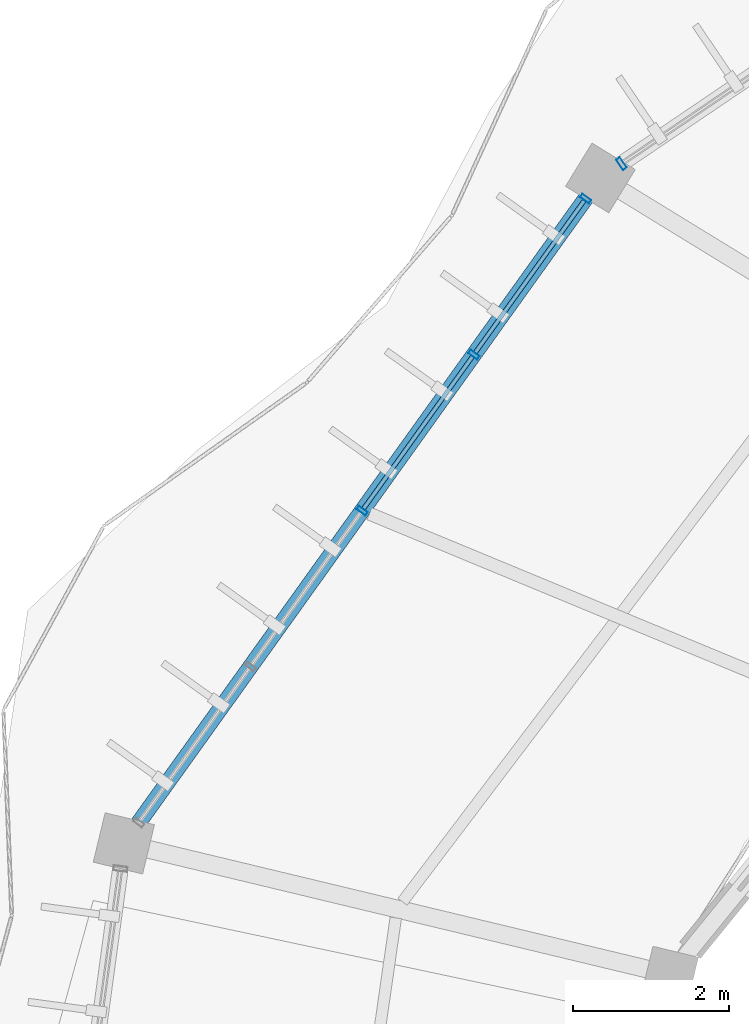
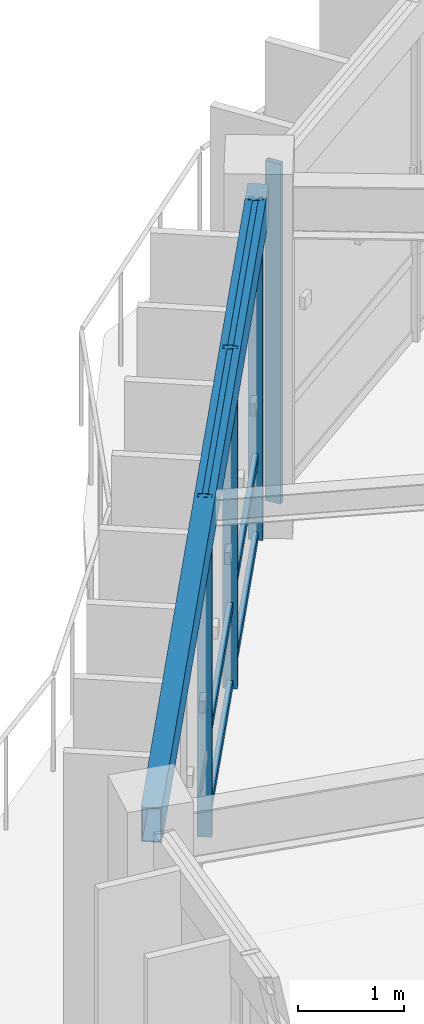
# One storey, part 38 of 114: 10 members, 1 beam, 2 elements without a shape of their own.
"""IFC4 building model written with IfcOpenShell, lengths in metres."""

from ifc_helpers import new_model, si_unit, direction, frame, origin, origin_2d, place, context, subcontext, project, spatial, hollow_rectangle, extrude, material, material_profile, profile_set, type_object, element, aggregate, save


model = new_model("IFC4")

# Units and contexts
model_context = context("Model", 3, precision=1e-05, world=origin(), true_north=direction((0.0, 1.0)))
body_context = subcontext(model_context, "Body", "Model", "MODEL_VIEW")
ifc_project = project(units=[si_unit("LENGTHUNIT", "METRE"), si_unit("AREAUNIT", "SQUARE_METRE"), si_unit("VOLUMEUNIT", "CUBIC_METRE"), si_unit("PLANEANGLEUNIT", "RADIAN"), si_unit("MASSUNIT", "GRAM", prefix="KILO"), si_unit("THERMODYNAMICTEMPERATUREUNIT", "KELVIN"), si_unit("POWERUNIT", "WATT")], contexts=[model_context])

# Site, building, storey
site_placement = place(None, origin())
site = spatial("IfcSite", under=ifc_project, at=site_placement, CompositionType="ELEMENT")
building_placement = place(site_placement, origin())
building = spatial("IfcBuilding", under=site, at=building_placement, Name="Darbajah Civic Hall", CompositionType="ELEMENT")
storey_placement = place(building_placement, frame((0.0, 0.0, 13.800048828125)))
storey = spatial("IfcBuildingStorey", under=building, at=storey_placement, Name="L03", CompositionType="ELEMENT", Elevation=13.800048828125)

# Curtain wall, members
ifc_material_1 = material(Name="Anodised Bronze Aluminium and Low-E Glazing", Category="aluminium")
curtain_wall_type_1 = type_object("IfcCurtainWallType", Name="Unitised Curtain Wall CW-44 9800x3900", PredefinedType="USERDEFINED", material=ifc_material_1)
curtain_wall_1_placement = place(storey_placement, origin())
curtain_wall_1 = element("IfcCurtainWall", 1, at=curtain_wall_1_placement, inside=storey, type_object=curtain_wall_type_1, Name="L03 unitised curtain wall CW-V1O-L03-08", ObjectType="UNITISED CURTAIN WALL", PredefinedType="USERDEFINED")
ifc_material_2 = material(Name="Anodised Bronze Aluminium", Category="aluminium")
ifc_material_profile_1 = material_profile(ifc_material_2, hollow_rectangle(XDim=0.054931640625, YDim=0.139892578125, WallThickness=0.003173828125, at=origin_2d()), Name="ALU MULLION 55x140")
ifc_profile_set_1 = profile_set([ifc_material_profile_1], Name="Anodised Bronze Aluminium")
member_type_1 = type_object("IfcMemberType", Name="ALU MULLION 55x140", PredefinedType="MULLION", material=ifc_profile_set_1)
member_1_placement = place(storey_placement, frame((45.425048828125, 104.94775390625, 0.0), z_axis=(0.0, 0.0, 1.0), x_axis=(-0.582264874145, -0.812999149039, 0.0)))
member_1 = element("IfcMember", 2, at=member_1_placement, type_object=member_type_1, Name="CW-V1O-L03-08 mullion 1", PredefinedType="MULLION", context=body_context, shape_type="SweptSolid", body=[
    extrude(hollow_rectangle(XDim=0.054931640625, YDim=0.139892578125, WallThickness=0.003173828125, at=origin_2d()), origin(), (0.0, 0.0, 1.0), 3.919921875),
])
member_2_placement = place(storey_placement, frame((43.99365234375, 102.948974609375, 0.0), z_axis=(0.0, 0.0, 1.0), x_axis=(-0.582264874145, -0.812999149039, 0.0)))
member_2 = element("IfcMember", 3, at=member_2_placement, type_object=member_type_1, Name="CW-V1O-L03-08 mullion 2", PredefinedType="MULLION", context=body_context, shape_type="SweptSolid", body=[
    extrude(hollow_rectangle(XDim=0.054931640625, YDim=0.139892578125, WallThickness=0.003173828125, at=origin_2d()), origin(), (0.0, 0.0, 1.0), 3.919921875),
])
member_3_placement = place(storey_placement, frame((42.562255859375, 100.9501953125, 0.0), z_axis=(0.0, 0.0, 1.0), x_axis=(-0.582264874145, -0.812999149039, 0.0)))
member_3 = element("IfcMember", 4, at=member_3_placement, type_object=member_type_1, Name="CW-V1O-L03-08 mullion 3", PredefinedType="MULLION", context=body_context, shape_type="SweptSolid", body=[
    extrude(hollow_rectangle(XDim=0.054931640625, YDim=0.139892578125, WallThickness=0.003173828125, at=origin_2d()), origin(), (0.0, 0.0, 1.0), 3.919921875),
])

# Curtain wall, member
curtain_wall_type_2 = type_object("IfcCurtainWallType", Name="Unitised Curtain Wall CW-58 11900x3900", PredefinedType="USERDEFINED", material=ifc_material_1)
curtain_wall_2_placement = place(storey_placement, origin())
curtain_wall_2 = element("IfcCurtainWall", 5, at=curtain_wall_2_placement, inside=storey, type_object=curtain_wall_type_2, Name="L03 unitised curtain wall CW-V1O-L03-07", ObjectType="UNITISED CURTAIN WALL", PredefinedType="USERDEFINED")
ifc_material_profile_2 = material_profile(ifc_material_2, hollow_rectangle(XDim=0.06005859375, YDim=0.159912109375, WallThickness=0.00341796875, at=origin_2d()), Name="ALU MULLION 60x160")
ifc_profile_set_2 = profile_set([ifc_material_profile_2], Name="Anodised Bronze Aluminium")
member_type_2 = type_object("IfcMemberType", Name="ALU MULLION 60x160", PredefinedType="MULLION", material=ifc_profile_set_2)
member_4_placement = place(storey_placement, frame((45.885986328125, 105.397216796875, 0.0), z_axis=(0.0, 0.0, 1.0), x_axis=(-0.827962472047, -0.560783509816, 0.0)))
member_4 = element("IfcMember", 6, at=member_4_placement, type_object=member_type_2, Name="CW-V1O-L03-07 mullion 5", PredefinedType="MULLION", context=body_context, shape_type="SweptSolid", body=[
    extrude(hollow_rectangle(XDim=0.06005859375, YDim=0.159912109375, WallThickness=0.00341796875, at=origin_2d()), origin(), (0.0, 0.0, 1.0), 3.919921875),
])
aggregate(curtain_wall_2, [member_4])

# Member
ifc_material_profile_3 = material_profile(ifc_material_2, hollow_rectangle(XDim=0.054931640625, YDim=0.10009765625, WallThickness=0.0029296875, at=origin_2d()), Name="ALU TRANSOM 55x100")
ifc_profile_set_3 = profile_set([ifc_material_profile_3], Name="Anodised Bronze Aluminium")
member_type_3 = type_object("IfcMemberType", Name="ALU TRANSOM 55x100", PredefinedType="USERDEFINED", material=ifc_profile_set_3)
member_5_placement = place(storey_placement, frame((45.406005859375, 104.92138671875, 0.050048828125), z_axis=(-0.582212284211, -0.813036811045, 0.0), x_axis=(0.813036811045, -0.582212284211, 0.0)))
member_5 = element("IfcMember", 7, at=member_5_placement, type_object=member_type_3, Name="CW-V1O-L03-08 transom 1.1", ObjectType="TRANSOM", PredefinedType="USERDEFINED", context=body_context, shape_type="SweptSolid", body=[
    extrude(hollow_rectangle(XDim=0.054931640625, YDim=0.10009765625, WallThickness=0.0029296875, at=origin_2d()), origin(), (0.0, 0.0, 1.0), 2.3935546875),
])

member_6_placement = place(storey_placement, frame((45.406005859375, 104.92138671875, 0.949951171875), z_axis=(-0.582212284211, -0.813036811045, 0.0), x_axis=(0.813036811045, -0.582212284211, 0.0)))
member_6 = element("IfcMember", 8, at=member_6_placement, type_object=member_type_3, Name="CW-V1O-L03-08 transom 1.2", ObjectType="TRANSOM", PredefinedType="USERDEFINED", context=body_context, shape_type="SweptSolid", body=[
    extrude(hollow_rectangle(XDim=0.054931640625, YDim=0.10009765625, WallThickness=0.0029296875, at=origin_2d()), origin(), (0.0, 0.0, 1.0), 2.3935546875),
])

member_7_placement = place(storey_placement, frame((45.406005859375, 104.92138671875, 3.869873046875), z_axis=(-0.582212284211, -0.813036811045, 0.0), x_axis=(0.813036811045, -0.582212284211, 0.0)))
member_7 = element("IfcMember", 9, at=member_7_placement, type_object=member_type_3, Name="CW-V1O-L03-08 transom 1.3", ObjectType="TRANSOM", PredefinedType="USERDEFINED", context=body_context, shape_type="SweptSolid", body=[
    extrude(hollow_rectangle(XDim=0.054931640625, YDim=0.10009765625, WallThickness=0.0029296875, at=origin_2d()), origin(), (0.0, 0.0, 1.0), 2.3935546875),
])

member_8_placement = place(storey_placement, frame((43.974609375, 102.922607421875, 0.050048828125), z_axis=(-0.582144853692, -0.81308509353, 0.0), x_axis=(0.81308509353, -0.582144853692, 0.0)))
member_8 = element("IfcMember", 10, at=member_8_placement, type_object=member_type_3, Name="CW-V1O-L03-08 transom 2.1", ObjectType="TRANSOM", PredefinedType="USERDEFINED", context=body_context, shape_type="SweptSolid", body=[
    extrude(hollow_rectangle(XDim=0.054931640625, YDim=0.10009765625, WallThickness=0.0029296875, at=origin_2d()), origin(), (0.0, 0.0, 1.0), 2.393310546875),
])

member_9_placement = place(storey_placement, frame((43.974609375, 102.922607421875, 0.949951171875), z_axis=(-0.582144853692, -0.81308509353, 0.0), x_axis=(0.81308509353, -0.582144853692, 0.0)))
member_9 = element("IfcMember", 11, at=member_9_placement, type_object=member_type_3, Name="CW-V1O-L03-08 transom 2.2", ObjectType="TRANSOM", PredefinedType="USERDEFINED", context=body_context, shape_type="SweptSolid", body=[
    extrude(hollow_rectangle(XDim=0.054931640625, YDim=0.10009765625, WallThickness=0.0029296875, at=origin_2d()), origin(), (0.0, 0.0, 1.0), 2.393310546875),
])

member_10_placement = place(storey_placement, frame((43.974609375, 102.922607421875, 3.869873046875), z_axis=(-0.582144853692, -0.81308509353, 0.0), x_axis=(0.81308509353, -0.582144853692, 0.0)))
member_10 = element("IfcMember", 12, at=member_10_placement, type_object=member_type_3, Name="CW-V1O-L03-08 transom 2.3", ObjectType="TRANSOM", PredefinedType="USERDEFINED", context=body_context, shape_type="SweptSolid", body=[
    extrude(hollow_rectangle(XDim=0.054931640625, YDim=0.10009765625, WallThickness=0.0029296875, at=origin_2d()), origin(), (0.0, 0.0, 1.0), 2.393310546875),
])

aggregate(curtain_wall_1, [member_1, member_2, member_3, member_5, member_6, member_7, member_8, member_9, member_10])

# Beam
ifc_material_3 = material(Name="Steel S355JR", Category="steel")
ifc_material_profile_4 = material_profile(ifc_material_3, hollow_rectangle(XDim=0.199951171875, YDim=0.39990234375, WallThickness=0.013916015625, at=origin_2d()), Name="RHS 400x200x14")
ifc_profile_set_4 = profile_set([ifc_material_profile_4], Name="Steel S355JR")
beam_type = type_object("IfcBeamType", Name="RHS 400x200x14", PredefinedType="SPANDREL", material=ifc_profile_set_4)
beam_placement = place(storey_placement, frame((45.56884765625, 105.148681640625, 3.719970703125), z_axis=(-0.58222165068, -0.813030103674, 0.0), x_axis=(0.813030103674, -0.58222165068, 0.0)))
element("IfcBeam", 13, at=beam_placement, inside=storey, type_object=beam_type, Name="L03 beam SP-RHS400", PredefinedType="SPANDREL", context=body_context, shape_type="SweptSolid", body=[
    extrude(hollow_rectangle(XDim=0.199951171875, YDim=0.39990234375, WallThickness=0.013916015625, at=origin_2d()), origin(), (0.0, 0.0, 1.0), 10.327880859375),
])

save(model, "model.ifc")
